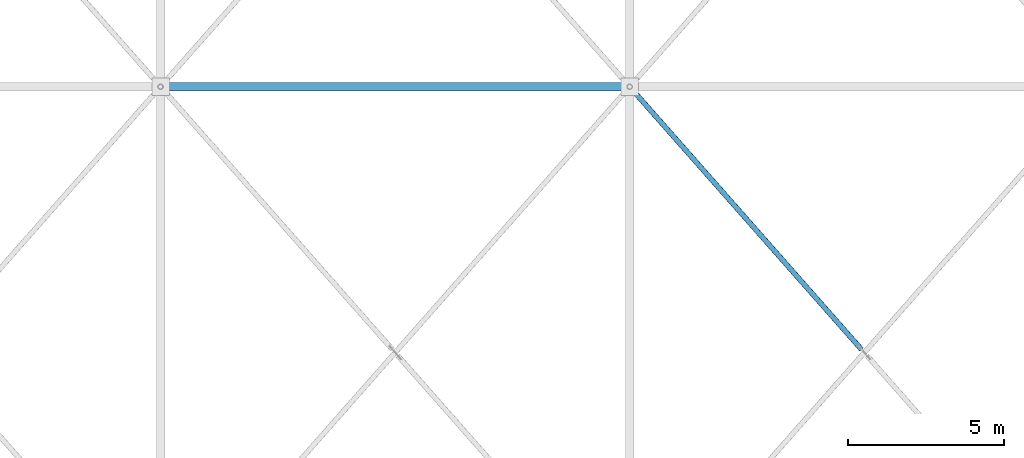
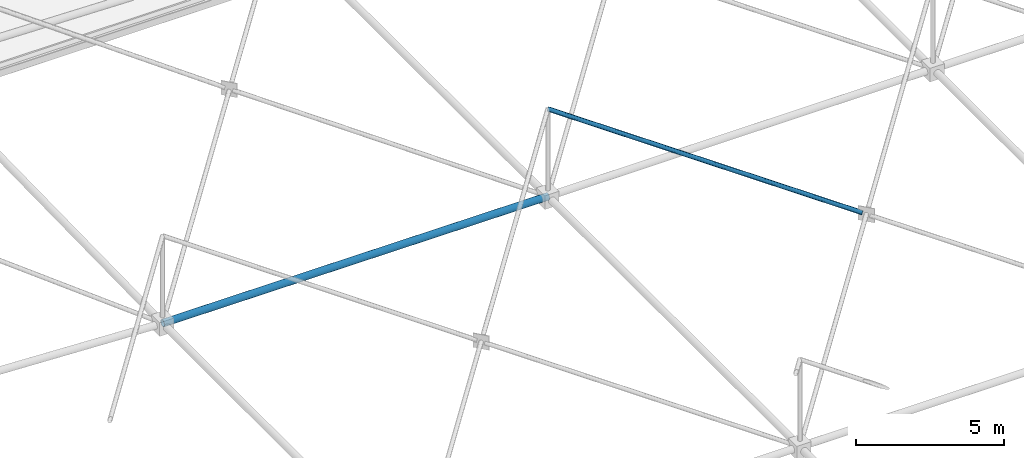
# One storey, part 81 of 224: 2 members.
"""IFC4 building model written with IfcOpenShell, lengths in metres."""

from ifc_helpers import new_model, si_unit, direction, frame, origin, origin_2d, place, context, subcontext, project, spatial, hollow_circle, extrude, material, material_profile, profile_set, type_object, element, save


model = new_model("IFC4")

# Units and contexts
model_context = context("Model", 3, precision=1e-05, world=origin(), true_north=direction((0.0, 1.0)))
body_context = subcontext(model_context, "Body", "Model", "MODEL_VIEW")
ifc_project = project(units=[si_unit("LENGTHUNIT", "METRE"), si_unit("AREAUNIT", "SQUARE_METRE"), si_unit("VOLUMEUNIT", "CUBIC_METRE"), si_unit("PLANEANGLEUNIT", "RADIAN"), si_unit("MASSUNIT", "GRAM", prefix="KILO")], contexts=[model_context])

# Site, building, storey
site_placement = place(None, origin())
site = spatial("IfcSite", under=ifc_project, at=site_placement, CompositionType="ELEMENT")
building_placement = place(site_placement, origin())
building = spatial("IfcBuilding", under=site, at=building_placement, Name="Qamarlyn Nura Convention Centre", CompositionType="ELEMENT")
storey_placement = place(building_placement, frame((0.0, 0.0, 10.800048828125)))
storey = spatial("IfcBuildingStorey", under=building, at=storey_placement, Name="L02", CompositionType="ELEMENT", Elevation=10.800048828125)

# Members
ifc_material = material(Name="Pearl-white PVDF steel ASTM A500 Grade C", Category="steel")
ifc_material_profile_1 = material_profile(ifc_material, hollow_circle(Radius=0.136474609375, WallThickness=0.012451171875, at=origin_2d()), Name="CHS273X12.5")
ifc_profile_set_1 = profile_set([ifc_material_profile_1], Name="Pearl-white PVDF steel ASTM A500 Grade C")
member_type_1 = type_object("IfcMemberType", Name="SF-BC-MAIN", PredefinedType="CHORD", material=ifc_profile_set_1)
member_1_placement = place(storey_placement, frame((30.0, 86.0, 0.828857421875), z_axis=(0.999998155705, 0.0, -0.001920569375), x_axis=(0.0, 1.0, 0.0)))
element("IfcMember", 1, at=member_1_placement, inside=storey, type_object=member_type_1, Name="ROOF TRUSS space frame bottom chord X4-6", PredefinedType="CHORD", context=body_context, shape_type="SweptSolid", body=[
    extrude(hollow_circle(Radius=0.136474609375, WallThickness=0.012451171875, at=origin_2d()), origin(), (0.0, 0.0, 1.0), 15.0),
])
ifc_material_profile_2 = material_profile(ifc_material, hollow_circle(Radius=0.084228515625, WallThickness=0.008056640625, at=origin_2d()), Name="CHS168.3X8")
ifc_profile_set_2 = profile_set([ifc_material_profile_2], Name="Pearl-white PVDF steel ASTM A500 Grade C")
member_type_2 = type_object("IfcMemberType", Name="SF-WEB-STD", PredefinedType="BRACE", material=ifc_profile_set_2)
member_2_placement = place(storey_placement, frame((52.408447265625, 77.603759765625, 2.6220703125), z_axis=(-0.653436826791, 0.740561737029, 0.156807611557), x_axis=(-0.749837855365, -0.661621637087, 0.0)))
element("IfcMember", 2, at=member_2_placement, inside=storey, type_object=member_type_2, Name="ROOF TRUSS space frame split diagonal B2 5-5", PredefinedType="BRACE", context=body_context, shape_type="SweptSolid", body=[
    extrude(hollow_circle(Radius=0.084228515625, WallThickness=0.008056640625, at=origin_2d()), origin(), (0.0, 0.0, 1.0), 11.337646484375),
])

save(model, "model.ifc")
